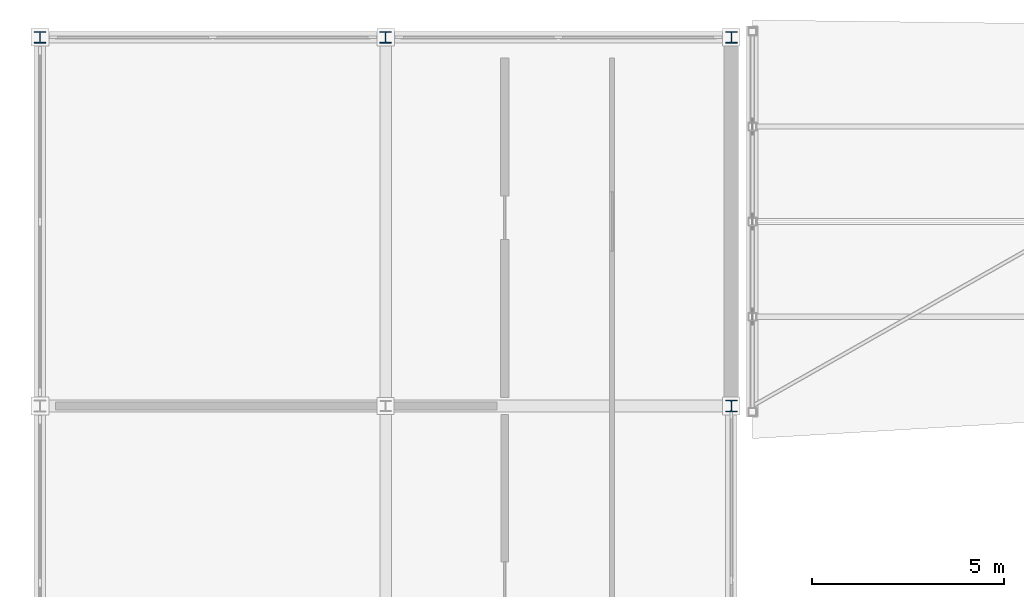
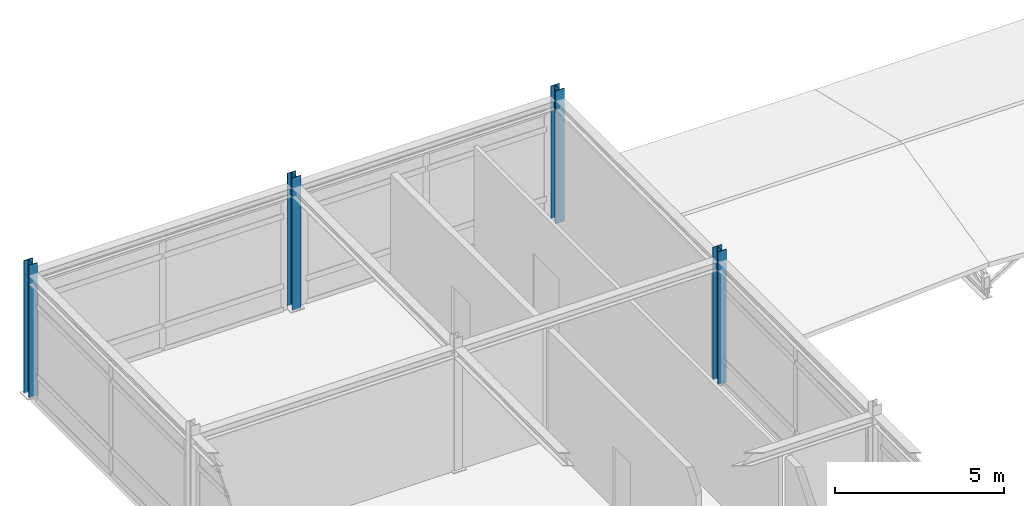
# One storey, part 7 of 90: 4 columns.
"""IFC4 building model written with IfcOpenShell, lengths in metres."""

import ifcopenshell
import ifcopenshell.guid

model = None  # the IFC model being written
_history = None  # IfcOwnerHistory: only IFC2X3 demands one
_inside = {}  # id of a spatial element -> (the spatial element, [elements in it])
_under = {}  # id of a project, library or spatial element -> (it, [spatial elements below it])
_declared = {}  # id of a project -> (the project, [libraries it declares])
_typed = {}  # id of a type object -> (the type object, [elements of that type])
_made_of = {}  # id of a material, layer set ... -> (it, [elements and type objects made of it])


def new_model(schema):
    """Start an empty IFC model of exactly this schema.

    Asked for "IFC4X3", IfcOpenShell would pick the latest addendum, in which some entities
    have other attributes; the version numbers below select the first issue.
    IFC2X3 requires an IfcOwnerHistory on every rooted entity: one is made here for all.
    """
    global model, _history
    if schema == "IFC4X3":
        model = ifcopenshell.file(schema_version=(4, 3, 0, 0))
    else:
        model = ifcopenshell.file(schema=schema)
    _inside.clear()
    _under.clear()
    _declared.clear()
    _typed.clear()
    _made_of.clear()
    _history = None
    if model.schema == "IFC2X3":
        org = make("IfcOrganization", Name="unknown")
        user = make(
            "IfcPersonAndOrganization",
            ThePerson=make("IfcPerson", FamilyName="unknown"),
            TheOrganization=org,
        )
        app = make(
            "IfcApplication",
            ApplicationDeveloper=org,
            Version="unknown",
            ApplicationFullName="unknown",
            ApplicationIdentifier="unknown",
        )
        _history = make(
            "IfcOwnerHistory",
            OwningUser=user,
            OwningApplication=app,
            ChangeAction="ADDED",
            CreationDate=0,
        )
    return model


def make(cls, **values):
    """One entity of the class cls with the attributes given. An attribute that is None is left unset."""
    return model.create_entity(
        cls, **{name: value for name, value in values.items() if value is not None}
    )


def rooted(cls, **values):
    """An entity with a GlobalId (a new one), such as an element, a storey or a relation."""
    return make(cls, GlobalId=ifcopenshell.guid.new(), OwnerHistory=_history, **values)


def si_unit(unit_type, name, prefix=None):
    """IfcSIUnit, for example si_unit("LENGTHUNIT", "METRE", prefix="MILLI")."""
    return make("IfcSIUnit", UnitType=unit_type, Prefix=prefix, Name=name)


def assignment(units):
    """IfcUnitAssignment: the units of a project."""
    return None if units is None else make("IfcUnitAssignment", Units=units)


def point(xyz):
    """IfcCartesianPoint."""
    return None if xyz is None else make("IfcCartesianPoint", Coordinates=xyz)


def direction(xyz):
    """IfcDirection."""
    return None if xyz is None else make("IfcDirection", DirectionRatios=xyz)


def frame(location, z_axis=None, x_axis=None):
    """IfcAxis2Placement3D, a coordinate frame: its origin and axes. An axis left out is left unset."""
    return make(
        "IfcAxis2Placement3D",
        Location=point(location),
        Axis=direction(z_axis),
        RefDirection=direction(x_axis),
    )


def frame_2d(location, x_axis=None):
    """IfcAxis2Placement2D, a coordinate frame in the plane: its origin and x axis."""
    return make(
        "IfcAxis2Placement2D", Location=point(location), RefDirection=direction(x_axis)
    )


def origin():
    """The frame at (0, 0, 0) with its axes left unset."""
    return frame((0.0, 0.0, 0.0))


def origin_2d():
    """The frame at (0, 0) in the plane with its x axis left unset."""
    return frame_2d((0.0, 0.0))


def place(relative_to, where):
    """IfcLocalPlacement: puts the frame where relative to a parent placement (None: the world)."""
    return make(
        "IfcLocalPlacement", PlacementRelTo=relative_to, RelativePlacement=where
    )


def context(
    kind, dimensions, precision=None, world=None, true_north=None, identifier=None
):
    """IfcGeometricRepresentationContext, for example the 3D "Model" context."""
    return make(
        "IfcGeometricRepresentationContext",
        ContextIdentifier=identifier,
        ContextType=kind,
        CoordinateSpaceDimension=dimensions,
        Precision=precision,
        WorldCoordinateSystem=world,
        TrueNorth=true_north,
    )


def subcontext(parent, identifier, kind, view, scale=None):
    """IfcGeometricRepresentationSubContext, for example "Body" below "Model"."""
    return make(
        "IfcGeometricRepresentationSubContext",
        ContextIdentifier=identifier,
        ContextType=kind,
        ParentContext=parent,
        TargetScale=scale,
        TargetView=view,
    )


def project(units=None, contexts=None):
    """IfcProject with its units and contexts."""
    return rooted(
        "IfcProject",
        Name="project",
        RepresentationContexts=contexts,
        UnitsInContext=assignment(units),
    )


def spatial(cls, under=None, at=None, **own):
    """A site, building, storey or space (cls), placed at a placement, below another one or the project."""
    s = rooted(cls, ObjectPlacement=at, **own)
    if under is not None:
        _under.setdefault(under.id(), (under, []))[1].append(s)
    return s


def profile(cls, at=None, kind="AREA", **sizes):
    """A parametric profile (cls). Its sizes go by their IFC names, for example OverallWidth=200.0."""
    return make(cls, ProfileType=kind, Position=at, **sizes)


def i_section(**sizes):
    """IfcIShapeProfileDef."""
    return profile("IfcIShapeProfileDef", **sizes)


def extrude(swept, where, along, depth):
    """IfcExtrudedAreaSolid: the profile swept, set in the frame where, extruded along a direction by depth."""
    return make(
        "IfcExtrudedAreaSolid",
        SweptArea=swept,
        Position=where,
        ExtrudedDirection=direction(along),
        Depth=depth,
    )


def shape(context_of_items, identifier, shape_type, items):
    """IfcShapeRepresentation: the items that make up one representation, for example the "Body"."""
    return make(
        "IfcShapeRepresentation",
        ContextOfItems=context_of_items,
        RepresentationIdentifier=identifier,
        RepresentationType=shape_type,
        Items=items,
    )


def material(Name=None, Category=None):
    """IfcMaterial."""
    return make("IfcMaterial", Name=Name, Category=Category)


def material_profile(
    of_material, cross_section, Name=None, Category=None, Priority=None
):
    """IfcMaterialProfile: a cross section and its material."""
    return make(
        "IfcMaterialProfile",
        Name=Name,
        Material=of_material,
        Profile=cross_section,
        Priority=Priority,
        Category=Category,
    )


def profile_set(profiles, Name=None, composite=None):
    """IfcMaterialProfileSet."""
    return make(
        "IfcMaterialProfileSet",
        Name=Name,
        MaterialProfiles=profiles,
        CompositeProfile=composite,
    )


def made_of(thing, what):
    """Note that an element or type object is made of a material, layer set ...; save() writes the relation."""
    if what is not None:
        _made_of.setdefault(what.id(), (what, []))[1].append(thing)
    return thing


def type_object(cls, material=None, **own):
    """A type object (cls), such as IfcWallType, which elements share."""
    return made_of(rooted(cls, **own), material)


def element(
    cls,
    number,
    at=None,
    inside=None,
    cuts=None,
    type_object=None,
    material=None,
    context=None,
    identifier="Body",
    shape_type=None,
    held_by="IfcProductDefinitionShape",
    body=None,
    shapes=None,
    **own,
):
    """One element of the class cls, such as IfcWall. Its Tag is "e" and its number.

    at: its placement. inside: the storey or other place that contains it. cuts: it is an
    opening in that element (IfcRelVoidsElement). A single representation is given by context,
    identifier, shape_type and body (its items); several are given by shapes. held_by: the class
    of the entity that holds the representations. save() writes the other relations.
    """
    e = rooted(cls, Tag="e%d" % number, ObjectPlacement=at, **own)
    if body is not None:
        shapes = [shape(context, identifier, shape_type, body)]
    if shapes is not None:
        e.Representation = make(held_by, Representations=shapes)
    if inside is not None:
        _inside.setdefault(inside.id(), (inside, []))[1].append(e)
    if cuts is not None:
        rooted(
            "IfcRelVoidsElement", RelatingBuildingElement=cuts, RelatedOpeningElement=e
        )
    if type_object is not None:
        _typed.setdefault(type_object.id(), (type_object, []))[1].append(e)
    return made_of(e, material)


def aggregate(whole, parts):
    """IfcRelAggregates: a whole, such as a stair, and the parts it consists of."""
    return rooted("IfcRelAggregates", RelatingObject=whole, RelatedObjects=parts)


def save(model, path):
    """Write the relations noted so far, then the file.

    IfcRelAggregates (storeys below a building ...), IfcRelContainedInSpatialStructure (elements
    in a storey), IfcRelDefinesByType, IfcRelAssociatesMaterial and IfcRelDeclares: one each for
    every whole, place, type object, material and project.
    """
    for whole, parts in _under.values():
        aggregate(whole, parts)
    for where, things in _inside.values():
        rooted(
            "IfcRelContainedInSpatialStructure",
            RelatedElements=things,
            RelatingStructure=where,
        )
    for kind, things in _typed.values():
        rooted("IfcRelDefinesByType", RelatedObjects=things, RelatingType=kind)
    for what, things in _made_of.values():
        rooted("IfcRelAssociatesMaterial", RelatedObjects=things, RelatingMaterial=what)
    for by, libraries in _declared.values():
        rooted("IfcRelDeclares", RelatingContext=by, RelatedDefinitions=libraries)
    model.write(path)


model = new_model("IFC4")

# Units and contexts
model_context = context("Model", 3, precision=1e-05, world=origin(), true_north=direction((0.0, 1.0)))
body_context = subcontext(model_context, "Body", "Model", "MODEL_VIEW")
ifc_project = project(units=[si_unit("LENGTHUNIT", "METRE"), si_unit("AREAUNIT", "SQUARE_METRE"), si_unit("VOLUMEUNIT", "CUBIC_METRE"), si_unit("PLANEANGLEUNIT", "RADIAN"), si_unit("MASSUNIT", "GRAM", prefix="KILO")], contexts=[model_context])

# Site, building, storey
site_placement = place(None, origin())
site = spatial("IfcSite", under=ifc_project, at=site_placement, CompositionType="ELEMENT")
building_placement = place(site_placement, origin())
building = spatial("IfcBuilding", under=site, at=building_placement, Name="Bozkorgan Art Gallery", CompositionType="ELEMENT")
storey_placement = place(building_placement, frame((0.0, 0.0, 5.39990234375)))
storey = spatial("IfcBuildingStorey", under=building, at=storey_placement, Name="L01", CompositionType="ELEMENT", Elevation=5.39990234375)

# Columns
ifc_material = material(Name="Steel S355J2", Category="steel")
ifc_material_profile = material_profile(ifc_material, i_section(OverallWidth=0.300048828125, OverallDepth=0.300048828125, WebThickness=0.010986328125, FlangeThickness=0.01904296875, FilletRadius=0.027099609375, at=origin_2d()), Name="HEB 300")
ifc_profile_set = profile_set([ifc_material_profile], Name="Steel S355J2")
column_type = type_object("IfcColumnType", Name="COLUMN-C-08", PredefinedType="COLUMN", material=ifc_profile_set)
for number, where, z_axis, x_axis, name in (
    (1, (2.0, 112.39990234375, 0.0), (0.0, 0.0, 1.0), (1.0, 0.0, 0.0), "V2 L01 column (2.0, 112.4)"),
    (2, (11.0, 112.39990234375, 0.0), (0.0, 0.0, 1.0), (1.0, 0.0, 0.0), "V2 L01 column (11.0, 112.4)"),
    (3, (20.0, 102.800048828125, 0.0), (0.0, 0.0, 1.0), (1.0, 0.0, 0.0), "V2 L01 column (20.0, 102.8)"),
    (4, (20.0, 112.39990234375, 0.0), (0.0, 0.0, 1.0), (1.0, 0.0, 0.0), "V2 L01 column (20.0, 112.4)"),
):
    element("IfcColumn", number, at=place(storey_placement, frame(where, z_axis=z_axis, x_axis=x_axis)), inside=storey, type_object=column_type, Name=name, PredefinedType="COLUMN", context=body_context, shape_type="SweptSolid", body=[
        extrude(i_section(OverallWidth=0.300048828125, OverallDepth=0.300048828125, WebThickness=0.010986328125, FlangeThickness=0.01904296875, FilletRadius=0.027099609375, at=origin_2d()), origin(), (0.0, 0.0, 1.0), 4.800048828125),
    ])

save(model, "model.ifc")
